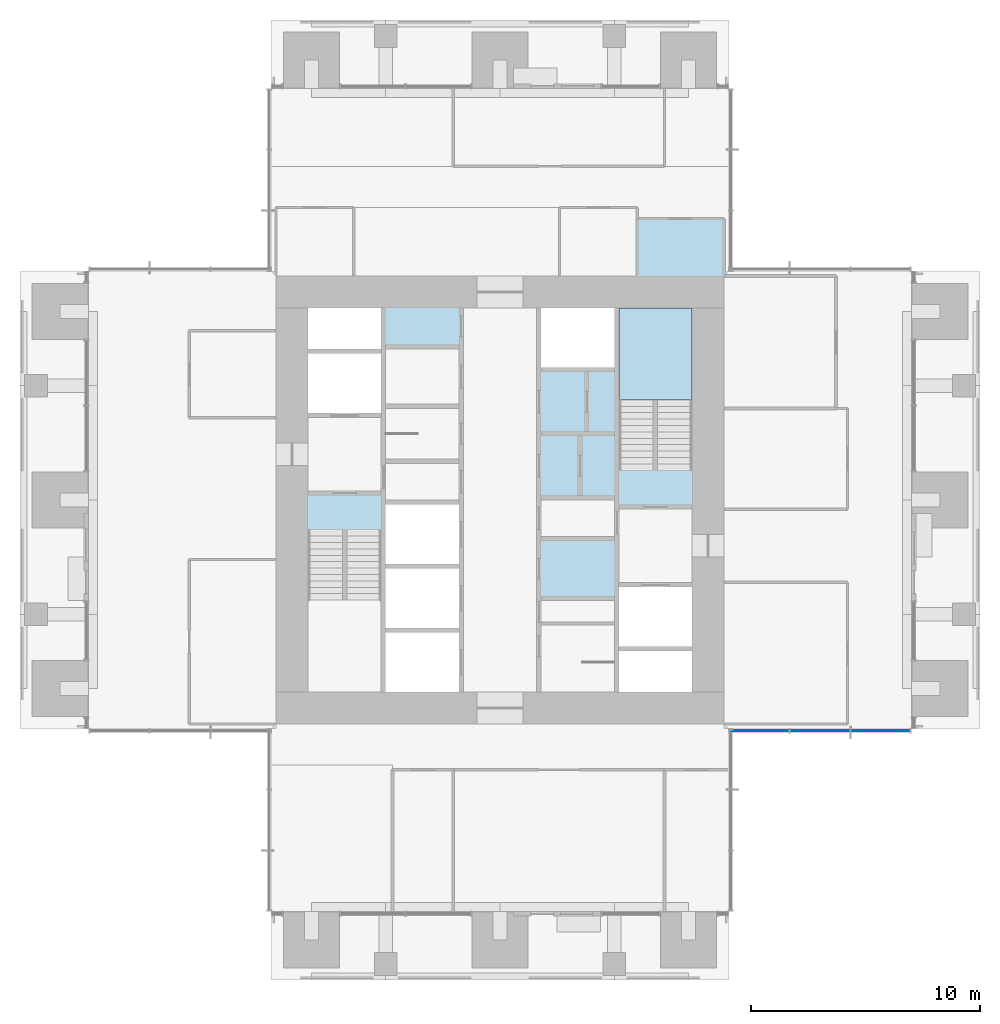
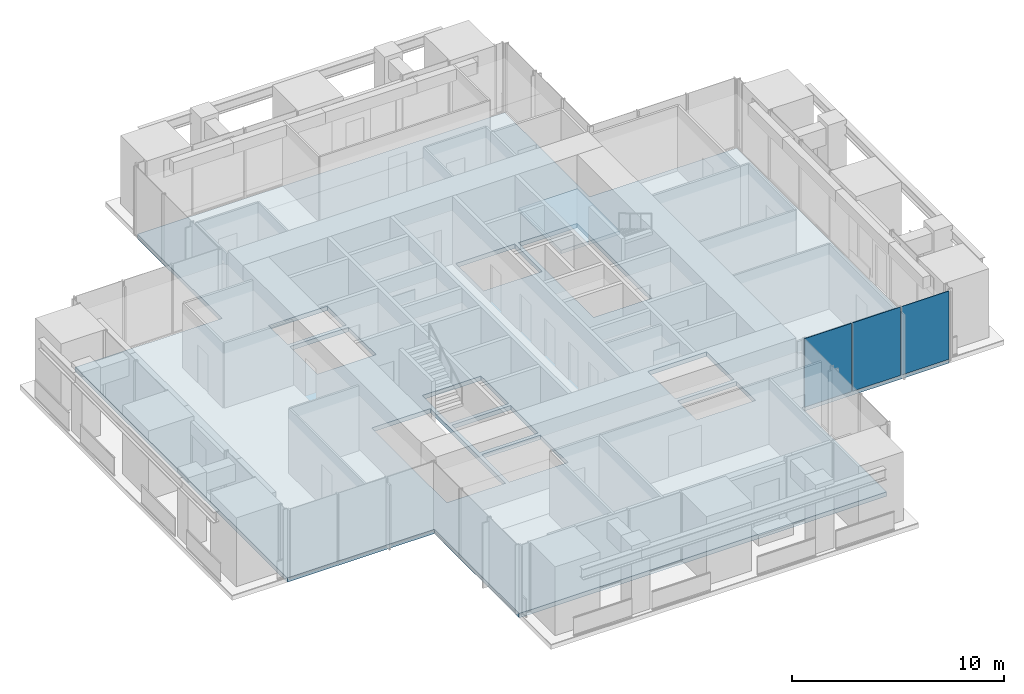
# One storey, part 9 of 17: 3 plates, 2 slabs, 2 elements without a shape of their own.
"""IFC4 building model written with IfcOpenShell, lengths in metres."""

import ifcopenshell
import ifcopenshell.guid

model = None  # the IFC model being written
_history = None  # IfcOwnerHistory: only IFC2X3 demands one
_inside = {}  # id of a spatial element -> (the spatial element, [elements in it])
_under = {}  # id of a project, library or spatial element -> (it, [spatial elements below it])
_declared = {}  # id of a project -> (the project, [libraries it declares])
_typed = {}  # id of a type object -> (the type object, [elements of that type])
_made_of = {}  # id of a material, layer set ... -> (it, [elements and type objects made of it])


def new_model(schema):
    """Start an empty IFC model of exactly this schema.

    Asked for "IFC4X3", IfcOpenShell would pick the latest addendum, in which some entities
    have other attributes; the version numbers below select the first issue.
    IFC2X3 requires an IfcOwnerHistory on every rooted entity: one is made here for all.
    """
    global model, _history
    if schema == "IFC4X3":
        model = ifcopenshell.file(schema_version=(4, 3, 0, 0))
    else:
        model = ifcopenshell.file(schema=schema)
    _inside.clear()
    _under.clear()
    _declared.clear()
    _typed.clear()
    _made_of.clear()
    _history = None
    if model.schema == "IFC2X3":
        org = make("IfcOrganization", Name="unknown")
        user = make(
            "IfcPersonAndOrganization",
            ThePerson=make("IfcPerson", FamilyName="unknown"),
            TheOrganization=org,
        )
        app = make(
            "IfcApplication",
            ApplicationDeveloper=org,
            Version="unknown",
            ApplicationFullName="unknown",
            ApplicationIdentifier="unknown",
        )
        _history = make(
            "IfcOwnerHistory",
            OwningUser=user,
            OwningApplication=app,
            ChangeAction="ADDED",
            CreationDate=0,
        )
    return model


def make(cls, **values):
    """One entity of the class cls with the attributes given. An attribute that is None is left unset."""
    return model.create_entity(
        cls, **{name: value for name, value in values.items() if value is not None}
    )


def rooted(cls, **values):
    """An entity with a GlobalId (a new one), such as an element, a storey or a relation."""
    return make(cls, GlobalId=ifcopenshell.guid.new(), OwnerHistory=_history, **values)


def si_unit(unit_type, name, prefix=None):
    """IfcSIUnit, for example si_unit("LENGTHUNIT", "METRE", prefix="MILLI")."""
    return make("IfcSIUnit", UnitType=unit_type, Prefix=prefix, Name=name)


def assignment(units):
    """IfcUnitAssignment: the units of a project."""
    return None if units is None else make("IfcUnitAssignment", Units=units)


def point(xyz):
    """IfcCartesianPoint."""
    return None if xyz is None else make("IfcCartesianPoint", Coordinates=xyz)


def direction(xyz):
    """IfcDirection."""
    return None if xyz is None else make("IfcDirection", DirectionRatios=xyz)


def frame(location, z_axis=None, x_axis=None):
    """IfcAxis2Placement3D, a coordinate frame: its origin and axes. An axis left out is left unset."""
    return make(
        "IfcAxis2Placement3D",
        Location=point(location),
        Axis=direction(z_axis),
        RefDirection=direction(x_axis),
    )


def frame_2d(location, x_axis=None):
    """IfcAxis2Placement2D, a coordinate frame in the plane: its origin and x axis."""
    return make(
        "IfcAxis2Placement2D", Location=point(location), RefDirection=direction(x_axis)
    )


def origin():
    """The frame at (0, 0, 0) with its axes left unset."""
    return frame((0.0, 0.0, 0.0))


def origin_2d():
    """The frame at (0, 0) in the plane with its x axis left unset."""
    return frame_2d((0.0, 0.0))


def place(relative_to, where):
    """IfcLocalPlacement: puts the frame where relative to a parent placement (None: the world)."""
    return make(
        "IfcLocalPlacement", PlacementRelTo=relative_to, RelativePlacement=where
    )


def context(
    kind, dimensions, precision=None, world=None, true_north=None, identifier=None
):
    """IfcGeometricRepresentationContext, for example the 3D "Model" context."""
    return make(
        "IfcGeometricRepresentationContext",
        ContextIdentifier=identifier,
        ContextType=kind,
        CoordinateSpaceDimension=dimensions,
        Precision=precision,
        WorldCoordinateSystem=world,
        TrueNorth=true_north,
    )


def subcontext(parent, identifier, kind, view, scale=None):
    """IfcGeometricRepresentationSubContext, for example "Body" below "Model"."""
    return make(
        "IfcGeometricRepresentationSubContext",
        ContextIdentifier=identifier,
        ContextType=kind,
        ParentContext=parent,
        TargetScale=scale,
        TargetView=view,
    )


def project(units=None, contexts=None):
    """IfcProject with its units and contexts."""
    return rooted(
        "IfcProject",
        Name="project",
        RepresentationContexts=contexts,
        UnitsInContext=assignment(units),
    )


def spatial(cls, under=None, at=None, **own):
    """A site, building, storey or space (cls), placed at a placement, below another one or the project."""
    s = rooted(cls, ObjectPlacement=at, **own)
    if under is not None:
        _under.setdefault(under.id(), (under, []))[1].append(s)
    return s


def polyline(points):
    """IfcPolyline through the points."""
    return make("IfcPolyline", Points=[point(p) for p in points])


def profile(cls, at=None, kind="AREA", **sizes):
    """A parametric profile (cls). Its sizes go by their IFC names, for example OverallWidth=200.0."""
    return make(cls, ProfileType=kind, Position=at, **sizes)


def rectangle(**sizes):
    """IfcRectangleProfileDef."""
    return profile("IfcRectangleProfileDef", **sizes)


def outline(outer, holes=None, kind="AREA"):
    """IfcArbitraryClosedProfileDef: a profile drawn as a closed curve; with holes, ...WithVoids."""
    if holes is None:
        return make("IfcArbitraryClosedProfileDef", ProfileType=kind, OuterCurve=outer)
    return make(
        "IfcArbitraryProfileDefWithVoids",
        ProfileType=kind,
        OuterCurve=outer,
        InnerCurves=holes,
    )


def extrude(swept, where, along, depth):
    """IfcExtrudedAreaSolid: the profile swept, set in the frame where, extruded along a direction by depth."""
    return make(
        "IfcExtrudedAreaSolid",
        SweptArea=swept,
        Position=where,
        ExtrudedDirection=direction(along),
        Depth=depth,
    )


def shape(context_of_items, identifier, shape_type, items):
    """IfcShapeRepresentation: the items that make up one representation, for example the "Body"."""
    return make(
        "IfcShapeRepresentation",
        ContextOfItems=context_of_items,
        RepresentationIdentifier=identifier,
        RepresentationType=shape_type,
        Items=items,
    )


def material(Name=None, Category=None):
    """IfcMaterial."""
    return make("IfcMaterial", Name=Name, Category=Category)


def layer(
    of_material, thickness, ventilated=None, Name=None, Category=None, Priority=None
):
    """IfcMaterialLayer: one layer of a wall or slab, of a material (None: an air gap)."""
    return make(
        "IfcMaterialLayer",
        Material=of_material,
        LayerThickness=thickness,
        IsVentilated=ventilated,
        Name=Name,
        Category=Category,
        Priority=Priority,
    )


def layer_set(layers, Name=None):
    """IfcMaterialLayerSet."""
    return make("IfcMaterialLayerSet", MaterialLayers=layers, LayerSetName=Name)


def made_of(thing, what):
    """Note that an element or type object is made of a material, layer set ...; save() writes the relation."""
    if what is not None:
        _made_of.setdefault(what.id(), (what, []))[1].append(thing)
    return thing


def type_object(cls, material=None, **own):
    """A type object (cls), such as IfcWallType, which elements share."""
    return made_of(rooted(cls, **own), material)


def element(
    cls,
    number,
    at=None,
    inside=None,
    cuts=None,
    type_object=None,
    material=None,
    context=None,
    identifier="Body",
    shape_type=None,
    held_by="IfcProductDefinitionShape",
    body=None,
    shapes=None,
    **own,
):
    """One element of the class cls, such as IfcWall. Its Tag is "e" and its number.

    at: its placement. inside: the storey or other place that contains it. cuts: it is an
    opening in that element (IfcRelVoidsElement). A single representation is given by context,
    identifier, shape_type and body (its items); several are given by shapes. held_by: the class
    of the entity that holds the representations. save() writes the other relations.
    """
    e = rooted(cls, Tag="e%d" % number, ObjectPlacement=at, **own)
    if body is not None:
        shapes = [shape(context, identifier, shape_type, body)]
    if shapes is not None:
        e.Representation = make(held_by, Representations=shapes)
    if inside is not None:
        _inside.setdefault(inside.id(), (inside, []))[1].append(e)
    if cuts is not None:
        rooted(
            "IfcRelVoidsElement", RelatingBuildingElement=cuts, RelatedOpeningElement=e
        )
    if type_object is not None:
        _typed.setdefault(type_object.id(), (type_object, []))[1].append(e)
    return made_of(e, material)


def aggregate(whole, parts):
    """IfcRelAggregates: a whole, such as a stair, and the parts it consists of."""
    return rooted("IfcRelAggregates", RelatingObject=whole, RelatedObjects=parts)


def save(model, path):
    """Write the relations noted so far, then the file.

    IfcRelAggregates (storeys below a building ...), IfcRelContainedInSpatialStructure (elements
    in a storey), IfcRelDefinesByType, IfcRelAssociatesMaterial and IfcRelDeclares: one each for
    every whole, place, type object, material and project.
    """
    for whole, parts in _under.values():
        aggregate(whole, parts)
    for where, things in _inside.values():
        rooted(
            "IfcRelContainedInSpatialStructure",
            RelatedElements=things,
            RelatingStructure=where,
        )
    for kind, things in _typed.values():
        rooted("IfcRelDefinesByType", RelatedObjects=things, RelatingType=kind)
    for what, things in _made_of.values():
        rooted("IfcRelAssociatesMaterial", RelatedObjects=things, RelatingMaterial=what)
    for by, libraries in _declared.values():
        rooted("IfcRelDeclares", RelatingContext=by, RelatedDefinitions=libraries)
    model.write(path)


model = new_model("IFC4")

# Units and contexts
model_context = context("Model", 3, precision=1e-05, world=origin(), true_north=direction((0.0, 1.0)))
body_context = subcontext(model_context, "Body", "Model", "MODEL_VIEW")
ifc_project = project(units=[si_unit("LENGTHUNIT", "METRE"), si_unit("AREAUNIT", "SQUARE_METRE"), si_unit("VOLUMEUNIT", "CUBIC_METRE"), si_unit("PLANEANGLEUNIT", "RADIAN"), si_unit("MASSUNIT", "GRAM", prefix="KILO")], contexts=[model_context])

# Site, building, storey
site_placement = place(None, origin())
site = spatial("IfcSite", under=ifc_project, at=site_placement, CompositionType="ELEMENT")
building_placement = place(site_placement, origin())
building = spatial("IfcBuilding", under=site, at=building_placement, Name="Svetlomir Tower", CompositionType="ELEMENT")
storey_placement = place(building_placement, frame((0.0, 0.0, 170.5)))
storey = spatial("IfcBuildingStorey", under=building, at=storey_placement, Name="L40", CompositionType="ELEMENT", Elevation=170.5)

# Curtain wall, plates
ifc_material_1 = material(Name="Bronze anodised aluminium curtain wall", Category="aluminium")
curtain_wall_type = type_object("IfcCurtainWallType", Name="CURTAIN WALL CW1 TOWER OFFICE", PredefinedType="NOTDEFINED", material=ifc_material_1)
curtain_wall_placement = place(storey_placement, origin())
curtain_wall = element("IfcCurtainWall", 1, at=curtain_wall_placement, inside=storey, type_object=curtain_wall_type, Name="Curtain wall CW1 L40", PredefinedType="NOTDEFINED")
ifc_material_2 = material(Name="Tinted double glazed unit", Category="glass")
ifc_layer_1 = layer(ifc_material_2, 0.031982421875)
ifc_layer_set_1 = layer_set([ifc_layer_1], Name="Tinted double glazed unit")
plate_type = type_object("IfcPlateType", Name="CW1 GLAZED PANEL 32", PredefinedType="CURTAIN_PANEL", material=ifc_layer_set_1)
plate_1_placement = place(storey_placement, frame((32.349609375, 10.89990234375, 0.06494140625), z_axis=(0.0, 0.0, 1.0), x_axis=(1.0, 0.0, 0.0)))
plate_1 = element("IfcPlate", 2, at=plate_1_placement, type_object=plate_type, Name="CW1 panel 1.1", PredefinedType="CURTAIN_PANEL", context=body_context, shape_type="SweptSolid", body=[
    extrude(rectangle(XDim=2.569091796875, YDim=0.031982421875, at=origin_2d()), origin(), (0.0, 0.0, 1.0), 3.93505859375),
])
plate_2_placement = place(storey_placement, frame((35.0, 10.89990234375, 0.06494140625), z_axis=(0.0, 0.0, 1.0), x_axis=(1.0, 0.0, 0.0)))
plate_2 = element("IfcPlate", 3, at=plate_2_placement, type_object=plate_type, Name="CW1 panel 2.1", PredefinedType="CURTAIN_PANEL", context=body_context, shape_type="SweptSolid", body=[
    extrude(rectangle(XDim=2.6015625, YDim=0.031982421875, at=origin_2d()), origin(), (0.0, 0.0, 1.0), 3.93505859375),
])
plate_3_placement = place(storey_placement, frame((37.650390625, 10.89990234375, 0.06494140625), z_axis=(0.0, 0.0, 1.0), x_axis=(1.0, 0.0, 0.0)))
plate_3 = element("IfcPlate", 4, at=plate_3_placement, type_object=plate_type, Name="CW1 panel 3.1", PredefinedType="CURTAIN_PANEL", context=body_context, shape_type="SweptSolid", body=[
    extrude(rectangle(XDim=2.569091796875, YDim=0.031982421875, at=origin_2d()), origin(), (0.0, 0.0, 1.0), 3.93505859375),
])
aggregate(curtain_wall, [plate_1, plate_2, plate_3])

# Slab
ifc_material_3 = material(Name="Concrete C60/75", Category="concrete")
ifc_layer_2 = layer(ifc_material_3, 0.25)
ifc_layer_set_2 = layer_set([ifc_layer_2], Name="Concrete C60/75")
slab_type_1 = type_object("IfcSlabType", Name="FLOOR SLAB 250", PredefinedType="FLOOR", material=ifc_layer_set_2)
slab_1_placement = place(storey_placement, frame((0.0, 0.0, -0.25)))
element("IfcSlab", 5, at=slab_1_placement, inside=storey, type_object=slab_type_1, Name="L40 floor slab", PredefinedType="FLOOR", context=body_context, shape_type="SweptSolid", body=[
    extrude(outline(polyline([(11.0, 3.0), (31.0, 3.0), (31.0, 11.0), (39.0, 11.0), (39.0, 31.0), (31.0, 31.0), (31.0, 39.0), (11.0, 39.0), (11.0, 31.0), (3.0, 31.0), (3.0, 11.0), (11.0, 11.0), (11.0, 3.0)]), holes=[polyline([(12.60009765625, 24.800048828125), (15.800048828125, 24.800048828125), (15.800048828125, 27.39990234375), (12.60009765625, 27.39990234375), (12.60009765625, 24.800048828125)]), polyline([(26.199951171875, 14.60009765625), (29.39990234375, 14.60009765625), (29.39990234375, 17.199951171875), (26.199951171875, 17.199951171875), (26.199951171875, 14.60009765625)]), polyline([(16.0, 12.60009765625), (19.199951171875, 12.60009765625), (19.199951171875, 15.199951171875), (16.0, 15.199951171875), (16.0, 12.60009765625)]), polyline([(16.0, 15.39990234375), (19.199951171875, 15.39990234375), (19.199951171875, 18.0), (16.0, 18.0), (16.0, 15.39990234375)]), polyline([(16.0, 18.199951171875), (19.199951171875, 18.199951171875), (19.199951171875, 20.800048828125), (16.0, 20.800048828125), (16.0, 18.199951171875)]), polyline([(22.800048828125, 26.800048828125), (26.0, 26.800048828125), (26.0, 29.39990234375), (22.800048828125, 29.39990234375), (22.800048828125, 26.800048828125)]), polyline([(12.60009765625, 27.60009765625), (15.800048828125, 27.60009765625), (15.800048828125, 29.39990234375), (12.60009765625, 29.39990234375), (12.60009765625, 27.60009765625)]), polyline([(26.199951171875, 12.60009765625), (29.39990234375, 12.60009765625), (29.39990234375, 14.39990234375), (26.199951171875, 14.39990234375), (26.199951171875, 12.60009765625)]), polyline([(12.60009765625, 12.60009765625), (15.800048828125, 12.60009765625), (15.800048828125, 19.679931640625), (12.60009765625, 19.679931640625), (12.60009765625, 12.60009765625)]), polyline([(26.199951171875, 22.320068359375), (29.39990234375, 22.320068359375), (29.39990234375, 29.39990234375), (26.199951171875, 29.39990234375), (26.199951171875, 22.320068359375)])]), origin(), (0.0, 0.0, 1.0), 0.25),
])

# Stair, slab
ifc_material_4 = material(Name="Concrete C60/75", Category="concrete")
stair_type = type_object("IfcStairType", Name="EXIT STAIR 3200 RISE 4000", PredefinedType="HALF_TURN_STAIR", material=ifc_material_4)
stair_placement = place(storey_placement, origin())
stair = element("IfcStair", 6, at=stair_placement, inside=storey, type_object=stair_type, Name="Stair S2 L40 to L41", PredefinedType="HALF_TURN_STAIR")
ifc_material_5 = material(Name="Concrete C60/75", Category="concrete")
ifc_layer_3 = layer(ifc_material_5, 0.199951171875)
ifc_layer_set_3 = layer_set([ifc_layer_3], Name="Concrete C60/75")
slab_type_2 = type_object("IfcSlabType", Name="STAIR LANDING 200", PredefinedType="LANDING", material=ifc_layer_set_3)
slab_2_placement = place(storey_placement, frame((0.0, 0.0, 1.800048828125)))
slab_2 = element("IfcSlab", 7, at=slab_2_placement, type_object=slab_type_2, Name="S2 landing 1", PredefinedType="LANDING", context=body_context, shape_type="SweptSolid", body=[
    extrude(outline(polyline([(26.199951171875, 25.3798828125), (29.39990234375, 25.3798828125), (29.39990234375, 29.39990234375), (26.199951171875, 29.39990234375), (26.199951171875, 25.3798828125)])), origin(), (0.0, 0.0, 1.0), 0.199951171875),
])
aggregate(stair, [slab_2])

save(model, "model.ifc")
